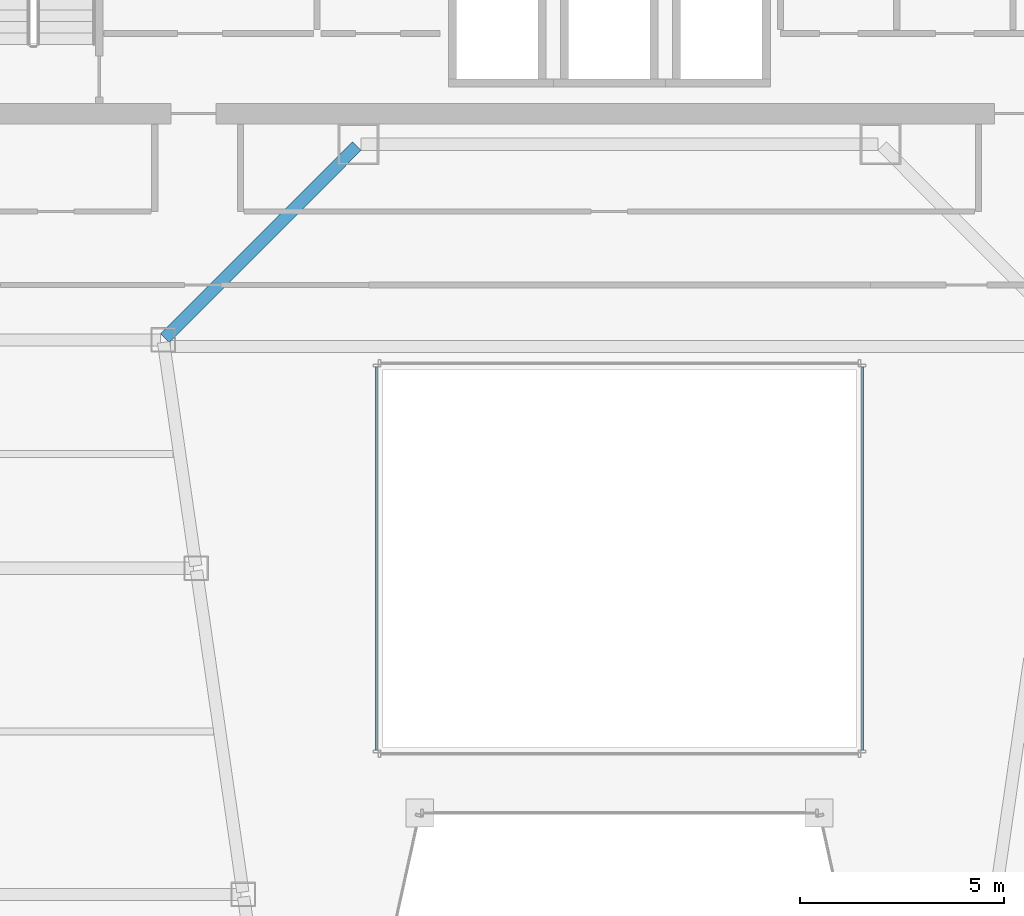
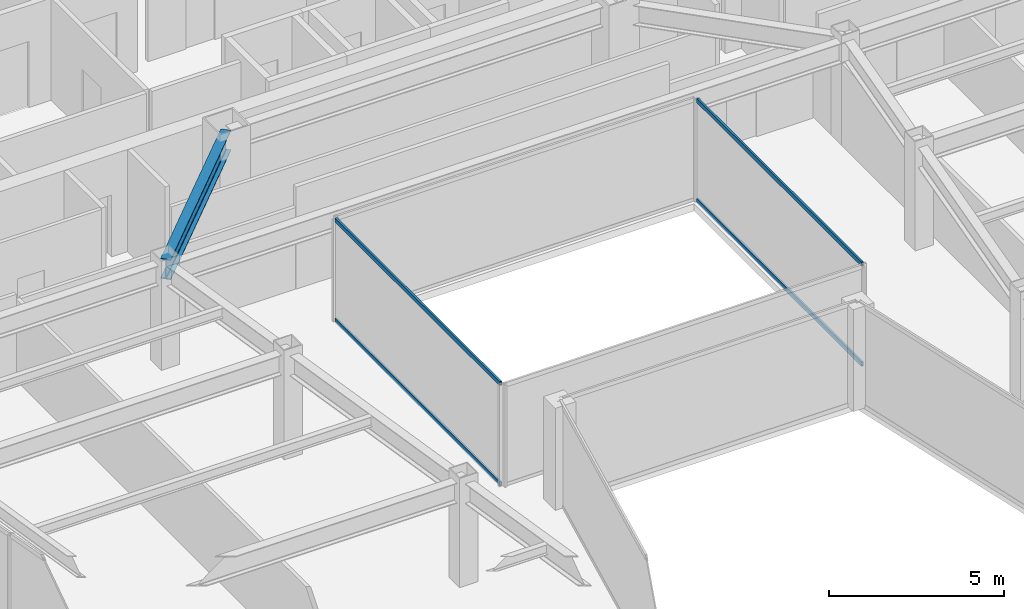
# One storey, part 10 of 36: 4 members, 1 beam, 2 elements without a shape of their own.
"""IFC4 building model written with IfcOpenShell, lengths in metres."""

from ifc_helpers import new_model, si_unit, direction, frame, origin, origin_2d, place, context, subcontext, project, spatial, hollow_rectangle, i_section, extrude, material, material_profile, profile_set, type_object, element, aggregate, save


model = new_model("IFC4")

# Units and contexts
model_context = context("Model", 3, precision=1e-05, world=origin(), true_north=direction((0.0, 1.0)))
body_context = subcontext(model_context, "Body", "Model", "MODEL_VIEW")
ifc_project = project(units=[si_unit("LENGTHUNIT", "METRE"), si_unit("AREAUNIT", "SQUARE_METRE"), si_unit("VOLUMEUNIT", "CUBIC_METRE"), si_unit("PLANEANGLEUNIT", "RADIAN"), si_unit("MASSUNIT", "GRAM", prefix="KILO")], contexts=[model_context])

# Site, building, storey
site_placement = place(None, origin())
site = spatial("IfcSite", under=ifc_project, at=site_placement, CompositionType="ELEMENT")
building_placement = place(site_placement, origin())
building = spatial("IfcBuilding", under=site, at=building_placement, Name="Saevonmaru Cultural Tower", CompositionType="ELEMENT")
storey_placement = place(building_placement, frame((0.0, 0.0, 171.39990234375)))
storey = spatial("IfcBuildingStorey", under=building, at=storey_placement, Name="L38", CompositionType="ELEMENT", Elevation=171.39990234375)

# Beam
ifc_material_1 = material(Name="Steel SM355", Category="steel")
ifc_material_profile_1 = material_profile(ifc_material_1, i_section(OverallWidth=0.300048828125, OverallDepth=0.699951171875, WebThickness=0.012939453125, FlangeThickness=0.02392578125, FilletRadius=0.02587890625, at=origin_2d()), Name="H-700x300x13x24")
ifc_profile_set_1 = profile_set([ifc_material_profile_1], Name="Steel SM355")
beam_type = type_object("IfcBeamType", Name="BM-G-H700", PredefinedType="BEAM", material=ifc_profile_set_1)
beam_placement = place(storey_placement, frame((18.850341796875, 37.642578125, 3.2001953125), z_axis=(0.706538566564, 0.707674539572, 0.0), x_axis=(-0.707674539572, 0.706538566564, 0.0)))
element("IfcBeam", 1, at=beam_placement, inside=storey, type_object=beam_type, Name="L38 West Atrium Girder 4", PredefinedType="BEAM", context=body_context, shape_type="SweptSolid", body=[
    extrude(i_section(OverallWidth=0.300048828125, OverallDepth=0.699951171875, WebThickness=0.012939453125, FlangeThickness=0.02392578125, FilletRadius=0.02587890625, at=origin_2d()), origin(), (0.0, 0.0, 1.0), 6.662353515625),
])

# Curtain wall, members
ifc_material_2 = material(Name="Satin Bronze Anodised Aluminium", Category="aluminium")
curtain_wall_type = type_object("IfcCurtainWallType", Name="CW-ATR-GLZ", PredefinedType="NOTDEFINED", material=ifc_material_2)
curtain_wall_1_placement = place(storey_placement, origin())
curtain_wall_1 = element("IfcCurtainWall", 2, at=curtain_wall_1_placement, inside=storey, type_object=curtain_wall_type, Name="L38 Vertical Atrium Glazed Smoke Screen 2", PredefinedType="NOTDEFINED")
ifc_material_profile_2 = material_profile(ifc_material_2, hollow_rectangle(XDim=0.06494140625, YDim=0.14990234375, WallThickness=0.00390625, at=origin_2d()), Name="ALU-TRAN-150x65x4")
ifc_profile_set_2 = profile_set([ifc_material_profile_2], Name="Satin Bronze Anodised Aluminium")
member_type = type_object("IfcMemberType", Name="TR-CW-INT-150x65", PredefinedType="USERDEFINED", material=ifc_profile_set_2)
member_1_placement = place(storey_placement, frame((35.949951171875, 27.54248046875, 0.03271484375), z_axis=(0.0, 1.0, 0.0), x_axis=(-1.0, 0.0, 0.0)))
member_1 = element("IfcMember", 3, at=member_1_placement, type_object=member_type, Name="CW-ATR-L38-2 transom 1.1", ObjectType="TRANSOM", PredefinedType="USERDEFINED", context=body_context, shape_type="SweptSolid", body=[
    extrude(hollow_rectangle(XDim=0.06494140625, YDim=0.14990234375, WallThickness=0.00390625, at=origin_2d()), origin(), (0.0, 0.0, 1.0), 9.39501953125),
])
member_2_placement = place(storey_placement, frame((35.949951171875, 27.54248046875, 3.517578125), z_axis=(0.0, 1.0, 0.0), x_axis=(-1.0, 0.0, 0.0)))
member_2 = element("IfcMember", 4, at=member_2_placement, type_object=member_type, Name="CW-ATR-L38-2 transom 1.2", ObjectType="TRANSOM", PredefinedType="USERDEFINED", context=body_context, shape_type="SweptSolid", body=[
    extrude(hollow_rectangle(XDim=0.06494140625, YDim=0.14990234375, WallThickness=0.00390625, at=origin_2d()), origin(), (0.0, 0.0, 1.0), 9.39501953125),
])
aggregate(curtain_wall_1, [member_1, member_2])

curtain_wall_2_placement = place(storey_placement, origin())
curtain_wall_2 = element("IfcCurtainWall", 5, at=curtain_wall_2_placement, inside=storey, type_object=curtain_wall_type, Name="L38 Vertical Atrium Glazed Smoke Screen 4", PredefinedType="NOTDEFINED")
member_3_placement = place(storey_placement, frame((24.050048828125, 36.9375, 0.03271484375), z_axis=(0.0, -1.0, 0.0), x_axis=(1.0, 0.0, 0.0)))
member_3 = element("IfcMember", 6, at=member_3_placement, type_object=member_type, Name="CW-ATR-L38-4 transom 1.1", ObjectType="TRANSOM", PredefinedType="USERDEFINED", context=body_context, shape_type="SweptSolid", body=[
    extrude(hollow_rectangle(XDim=0.06494140625, YDim=0.14990234375, WallThickness=0.00390625, at=origin_2d()), origin(), (0.0, 0.0, 1.0), 9.39501953125),
])
member_4_placement = place(storey_placement, frame((24.050048828125, 36.9375, 3.517578125), z_axis=(0.0, -1.0, 0.0), x_axis=(1.0, 0.0, 0.0)))
member_4 = element("IfcMember", 7, at=member_4_placement, type_object=member_type, Name="CW-ATR-L38-4 transom 1.2", ObjectType="TRANSOM", PredefinedType="USERDEFINED", context=body_context, shape_type="SweptSolid", body=[
    extrude(hollow_rectangle(XDim=0.06494140625, YDim=0.14990234375, WallThickness=0.00390625, at=origin_2d()), origin(), (0.0, 0.0, 1.0), 9.39501953125),
])
aggregate(curtain_wall_2, [member_3, member_4])

save(model, "model.ifc")
